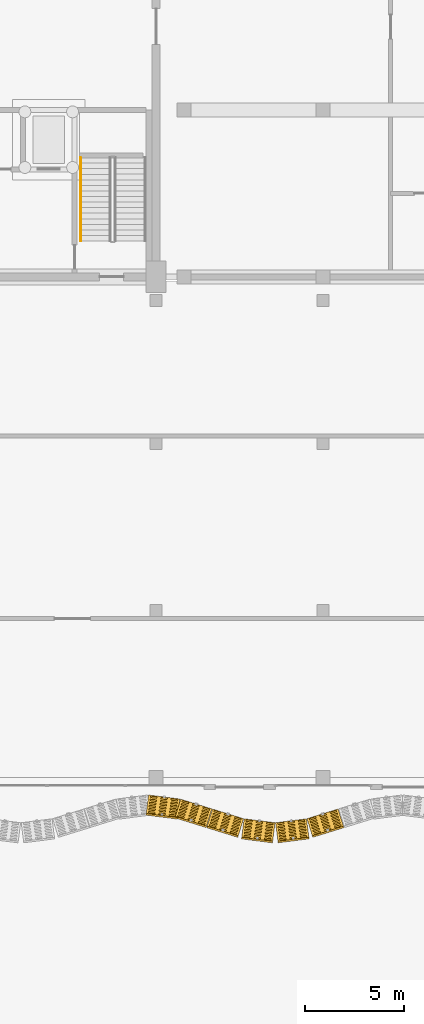
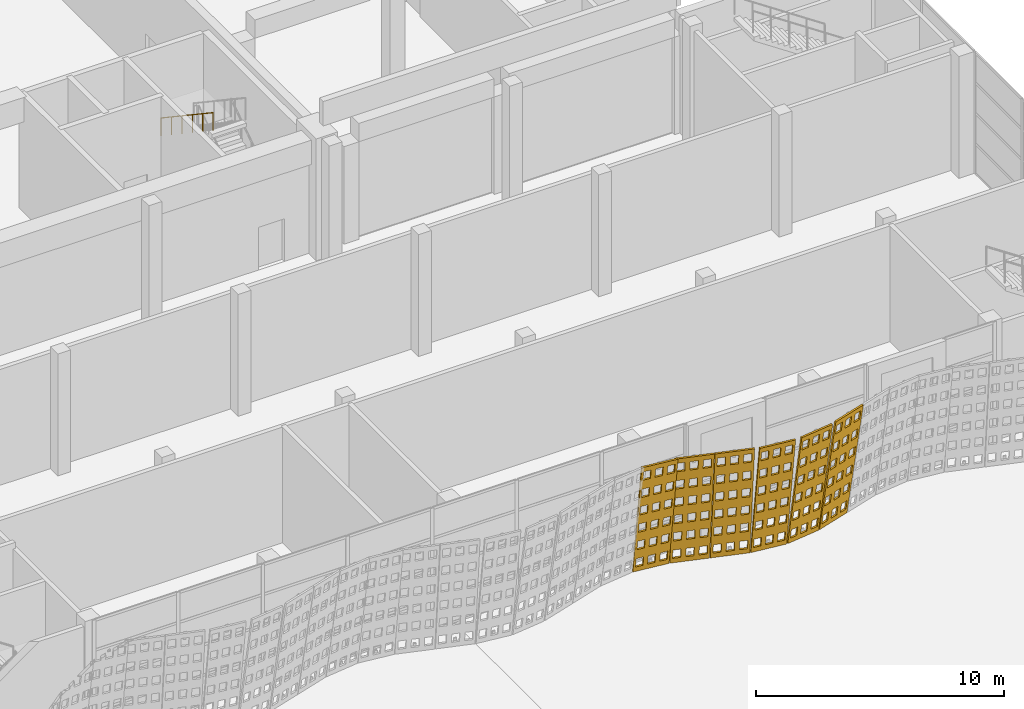
# One storey, part 196 of 210: 6 coverings, 1 railing.
"""IFC4 building model written with IfcOpenShell, lengths in metres."""

from ifc_helpers import new_model, si_unit, direction, frame, origin, origin_2d, place, context, subcontext, project, spatial, polyline, circle, outline, extrude, material, layer, layer_set, type_object, element, save


model = new_model("IFC4")

# Units and contexts
model_context = context("Model", 3, precision=1e-05, world=origin(), true_north=direction((0.0, 1.0)))
body_context = subcontext(model_context, "Body", "Model", "MODEL_VIEW")
ifc_project = project(units=[si_unit("LENGTHUNIT", "METRE"), si_unit("AREAUNIT", "SQUARE_METRE"), si_unit("VOLUMEUNIT", "CUBIC_METRE"), si_unit("PLANEANGLEUNIT", "RADIAN"), si_unit("MASSUNIT", "GRAM", prefix="KILO")], contexts=[model_context])

# Site, building, storey
site_placement = place(None, origin())
site = spatial("IfcSite", under=ifc_project, at=site_placement, CompositionType="ELEMENT")
building_placement = place(site_placement, origin())
building = spatial("IfcBuilding", under=site, at=building_placement, Name="Rain Tree Exposition and Congress Centre", CompositionType="ELEMENT")
storey_placement = place(building_placement, origin())
storey = spatial("IfcBuildingStorey", under=building, at=storey_placement, Name="L00", CompositionType="ELEMENT", Elevation=0.0)

# Railing
ifc_material_1 = material(Name="Steel S355J2H", Category="steel")
railing_type = type_object("IfcRailingType", Name="Stair handrail 900", PredefinedType="HANDRAIL", material=ifc_material_1)
railing_placement = place(storey_placement, frame((239.800048828125, 106.800048828125, 3.1875)))
element("IfcRailing", 1, at=railing_placement, inside=storey, type_object=railing_type, Name="L00 ST-H6 stair handrail 2", PredefinedType="HANDRAIL", context=body_context, shape_type="SweptSolid", body=[
    extrude(circle(Radius=0.02392578125, at=origin_2d()), frame((0.0, 0.0, 0.8759765625), z_axis=(0.0, -0.830904186295, 0.556415522067), x_axis=(1.0, 0.0, 0.0)), (0.0, 0.0, 1.0), 5.0546875),
    extrude(circle(Radius=0.02099609375, at=origin_2d()), origin(), (0.0, 0.0, 1.0), 0.851806640625),
    extrude(circle(Radius=0.02099609375, at=origin_2d()), frame((0.0, -0.840087890625, 0.5625)), (0.0, 0.0, 1.0), 0.851806640625),
    extrude(circle(Radius=0.02099609375, at=origin_2d()), frame((0.0, -1.679931640625, 1.125)), (0.0, 0.0, 1.0), 0.851806640625),
    extrude(circle(Radius=0.02099609375, at=origin_2d()), frame((0.0, -2.52001953125, 1.6875)), (0.0, 0.0, 1.0), 0.851806640625),
    extrude(circle(Radius=0.02099609375, at=origin_2d()), frame((0.0, -3.35986328125, 2.25)), (0.0, 0.0, 1.0), 0.851806640625),
    extrude(circle(Radius=0.02099609375, at=origin_2d()), frame((0.0, -4.199951171875, 2.8125)), (0.0, 0.0, 1.0), 0.851806640625),
])

# Coverings
ifc_material_2 = material(Name="Perforated terracotta", Category="masonry")
ifc_layer = layer(ifc_material_2, 0.080078125)
ifc_layer_set = layer_set([ifc_layer], Name="Perforated terracotta")
covering_type = type_object("IfcCoveringType", Name="Terracotta screen 80", PredefinedType="CLADDING", material=ifc_layer_set)
covering_1_placement = place(storey_placement, frame((243.199951171875, 74.64990234375, 0.0), z_axis=(0.125030801275, 0.978899688033, 0.161625182136), x_axis=(-0.991941518713, 0.126696580272, 0.0)))
element("IfcCovering", 2, at=covering_1_placement, inside=storey, type_object=covering_type, Name="concourse/screen/L00/153", PredefinedType="CLADDING", context=body_context, shape_type="SweptSolid", body=[
    extrude(outline(polyline([(-0.014892578125, 0.0), (-1.59814453125, 0.0), (-1.59814453125, 5.813720703125), (-0.014892578125, 5.813720703125), (-0.014892578125, 0.0)]), holes=[polyline([(-0.115234375, 0.25), (-0.115234375, 0.718994140625), (-0.4423828125, 0.718994140625), (-0.4423828125, 0.25), (-0.115234375, 0.25)]), polyline([(-0.115234375, 1.218994140625), (-0.115234375, 1.687744140625), (-0.4423828125, 1.687744140625), (-0.4423828125, 1.218994140625), (-0.115234375, 1.218994140625)]), polyline([(-0.115234375, 2.18798828125), (-0.115234375, 2.65673828125), (-0.4423828125, 2.65673828125), (-0.4423828125, 2.18798828125), (-0.115234375, 2.18798828125)]), polyline([(-0.115234375, 3.156982421875), (-0.115234375, 3.625732421875), (-0.4423828125, 3.625732421875), (-0.4423828125, 3.156982421875), (-0.115234375, 3.156982421875)]), polyline([(-0.115234375, 4.125732421875), (-0.115234375, 4.594482421875), (-0.4423828125, 4.594482421875), (-0.4423828125, 4.125732421875), (-0.115234375, 4.125732421875)]), polyline([(-0.115234375, 5.0947265625), (-0.115234375, 5.563720703125), (-0.4423828125, 5.563720703125), (-0.4423828125, 5.0947265625), (-0.115234375, 5.0947265625)]), polyline([(-0.64306640625, 0.25), (-0.64306640625, 0.718994140625), (-0.97021484375, 0.718994140625), (-0.97021484375, 0.25), (-0.64306640625, 0.25)]), polyline([(-0.64306640625, 1.218994140625), (-0.64306640625, 1.687744140625), (-0.97021484375, 1.687744140625), (-0.97021484375, 1.218994140625), (-0.64306640625, 1.218994140625)]), polyline([(-0.64306640625, 2.18798828125), (-0.64306640625, 2.65673828125), (-0.97021484375, 2.65673828125), (-0.97021484375, 2.18798828125), (-0.64306640625, 2.18798828125)]), polyline([(-0.64306640625, 3.156982421875), (-0.64306640625, 3.625732421875), (-0.97021484375, 3.625732421875), (-0.97021484375, 3.156982421875), (-0.64306640625, 3.156982421875)]), polyline([(-0.64306640625, 4.125732421875), (-0.64306640625, 4.594482421875), (-0.97021484375, 4.594482421875), (-0.97021484375, 4.125732421875), (-0.64306640625, 4.125732421875)]), polyline([(-0.64306640625, 5.0947265625), (-0.64306640625, 5.563720703125), (-0.97021484375, 5.563720703125), (-0.97021484375, 5.0947265625), (-0.64306640625, 5.0947265625)]), polyline([(-1.170654296875, 0.25), (-1.170654296875, 0.718994140625), (-1.497802734375, 0.718994140625), (-1.497802734375, 0.25), (-1.170654296875, 0.25)]), polyline([(-1.170654296875, 1.218994140625), (-1.170654296875, 1.687744140625), (-1.497802734375, 1.687744140625), (-1.497802734375, 1.218994140625), (-1.170654296875, 1.218994140625)]), polyline([(-1.170654296875, 2.18798828125), (-1.170654296875, 2.65673828125), (-1.497802734375, 2.65673828125), (-1.497802734375, 2.18798828125), (-1.170654296875, 2.18798828125)]), polyline([(-1.170654296875, 3.156982421875), (-1.170654296875, 3.625732421875), (-1.497802734375, 3.625732421875), (-1.497802734375, 3.156982421875), (-1.170654296875, 3.156982421875)]), polyline([(-1.170654296875, 4.125732421875), (-1.170654296875, 4.594482421875), (-1.497802734375, 4.594482421875), (-1.497802734375, 4.125732421875), (-1.170654296875, 4.125732421875)]), polyline([(-1.170654296875, 5.0947265625), (-1.170654296875, 5.563720703125), (-1.497802734375, 5.563720703125), (-1.497802734375, 5.0947265625), (-1.170654296875, 5.0947265625)])]), origin(), (0.0, 0.0, 1.0), 0.080078125),
])
covering_2_placement = place(storey_placement, frame((244.800048828125, 74.445068359375, 0.0), z_axis=(0.293072736571, 0.943327870838, 0.155694891303), x_axis=(-0.954973588716, 0.296690823679, 0.0)))
element("IfcCovering", 3, at=covering_2_placement, inside=storey, type_object=covering_type, Name="concourse/screen/L00/154", PredefinedType="CLADDING", context=body_context, shape_type="SweptSolid", body=[
    extrude(outline(polyline([(-0.014892578125, 0.0), (-1.659912109375, 0.0), (-1.659912109375, 5.80859375), (-0.014892578125, 5.80859375), (-0.014892578125, 0.0)]), holes=[polyline([(-0.119140625, 0.249755859375), (-0.119140625, 0.71826171875), (-0.458984375, 0.71826171875), (-0.458984375, 0.249755859375), (-0.119140625, 0.249755859375)]), polyline([(-0.119140625, 1.218017578125), (-0.119140625, 1.686279296875), (-0.458984375, 1.686279296875), (-0.458984375, 1.218017578125), (-0.119140625, 1.218017578125)]), polyline([(-0.119140625, 2.18603515625), (-0.119140625, 2.654541015625), (-0.458984375, 2.654541015625), (-0.458984375, 2.18603515625), (-0.119140625, 2.18603515625)]), polyline([(-0.119140625, 3.154052734375), (-0.119140625, 3.62255859375), (-0.458984375, 3.62255859375), (-0.458984375, 3.154052734375), (-0.119140625, 3.154052734375)]), polyline([(-0.119140625, 4.122314453125), (-0.119140625, 4.5908203125), (-0.458984375, 4.5908203125), (-0.458984375, 4.122314453125), (-0.119140625, 4.122314453125)]), polyline([(-0.119140625, 5.09033203125), (-0.119140625, 5.558837890625), (-0.458984375, 5.558837890625), (-0.458984375, 5.09033203125), (-0.119140625, 5.09033203125)]), polyline([(-0.66748046875, 0.249755859375), (-0.66748046875, 0.71826171875), (-1.00732421875, 0.71826171875), (-1.00732421875, 0.249755859375), (-0.66748046875, 0.249755859375)]), polyline([(-0.66748046875, 1.218017578125), (-0.66748046875, 1.686279296875), (-1.00732421875, 1.686279296875), (-1.00732421875, 1.218017578125), (-0.66748046875, 1.218017578125)]), polyline([(-0.66748046875, 2.18603515625), (-0.66748046875, 2.654541015625), (-1.00732421875, 2.654541015625), (-1.00732421875, 2.18603515625), (-0.66748046875, 2.18603515625)]), polyline([(-0.66748046875, 3.154052734375), (-0.66748046875, 3.62255859375), (-1.00732421875, 3.62255859375), (-1.00732421875, 3.154052734375), (-0.66748046875, 3.154052734375)]), polyline([(-0.66748046875, 4.122314453125), (-0.66748046875, 4.5908203125), (-1.00732421875, 4.5908203125), (-1.00732421875, 4.122314453125), (-0.66748046875, 4.122314453125)]), polyline([(-0.66748046875, 5.09033203125), (-0.66748046875, 5.558837890625), (-1.00732421875, 5.558837890625), (-1.00732421875, 5.09033203125), (-0.66748046875, 5.09033203125)]), polyline([(-1.2158203125, 0.249755859375), (-1.2158203125, 0.71826171875), (-1.5556640625, 0.71826171875), (-1.5556640625, 0.249755859375), (-1.2158203125, 0.249755859375)]), polyline([(-1.2158203125, 1.218017578125), (-1.2158203125, 1.686279296875), (-1.5556640625, 1.686279296875), (-1.5556640625, 1.218017578125), (-1.2158203125, 1.218017578125)]), polyline([(-1.2158203125, 2.18603515625), (-1.2158203125, 2.654541015625), (-1.5556640625, 2.654541015625), (-1.5556640625, 2.18603515625), (-1.2158203125, 2.18603515625)]), polyline([(-1.2158203125, 3.154052734375), (-1.2158203125, 3.62255859375), (-1.5556640625, 3.62255859375), (-1.5556640625, 3.154052734375), (-1.2158203125, 3.154052734375)]), polyline([(-1.2158203125, 4.122314453125), (-1.2158203125, 4.5908203125), (-1.5556640625, 4.5908203125), (-1.5556640625, 4.122314453125), (-1.2158203125, 4.122314453125)]), polyline([(-1.2158203125, 5.09033203125), (-1.2158203125, 5.558837890625), (-1.5556640625, 5.558837890625), (-1.5556640625, 5.09033203125), (-1.2158203125, 5.09033203125)])]), origin(), (0.0, 0.0, 1.0), 0.080078125),
])
covering_3_placement = place(storey_placement, frame((246.39990234375, 73.949951171875, 0.0), z_axis=(0.293072736571, 0.943327870838, 0.155694891303), x_axis=(-0.954973588716, 0.296690823679, 0.0)))
element("IfcCovering", 4, at=covering_3_placement, inside=storey, type_object=covering_type, Name="concourse/screen/L00/155", PredefinedType="CLADDING", context=body_context, shape_type="SweptSolid", body=[
    extrude(outline(polyline([(-0.014892578125, 0.0), (-1.65283203125, 0.0), (-1.65283203125, 5.80859375), (-0.014892578125, 5.80859375), (-0.014892578125, 0.0)]), holes=[polyline([(-0.11865234375, 0.249755859375), (-0.11865234375, 0.71826171875), (-0.457275390625, 0.71826171875), (-0.457275390625, 0.249755859375), (-0.11865234375, 0.249755859375)]), polyline([(-0.11865234375, 1.218017578125), (-0.11865234375, 1.686279296875), (-0.457275390625, 1.686279296875), (-0.457275390625, 1.218017578125), (-0.11865234375, 1.218017578125)]), polyline([(-0.11865234375, 2.18603515625), (-0.11865234375, 2.654541015625), (-0.457275390625, 2.654541015625), (-0.457275390625, 2.18603515625), (-0.11865234375, 2.18603515625)]), polyline([(-0.11865234375, 3.154052734375), (-0.11865234375, 3.62255859375), (-0.457275390625, 3.62255859375), (-0.457275390625, 3.154052734375), (-0.11865234375, 3.154052734375)]), polyline([(-0.11865234375, 4.122314453125), (-0.11865234375, 4.5908203125), (-0.457275390625, 4.5908203125), (-0.457275390625, 4.122314453125), (-0.11865234375, 4.122314453125)]), polyline([(-0.11865234375, 5.09033203125), (-0.11865234375, 5.558837890625), (-0.457275390625, 5.558837890625), (-0.457275390625, 5.09033203125), (-0.11865234375, 5.09033203125)]), polyline([(-0.664794921875, 0.249755859375), (-0.664794921875, 0.71826171875), (-1.003173828125, 0.71826171875), (-1.003173828125, 0.249755859375), (-0.664794921875, 0.249755859375)]), polyline([(-0.664794921875, 1.218017578125), (-0.664794921875, 1.686279296875), (-1.003173828125, 1.686279296875), (-1.003173828125, 1.218017578125), (-0.664794921875, 1.218017578125)]), polyline([(-0.664794921875, 2.18603515625), (-0.664794921875, 2.654541015625), (-1.003173828125, 2.654541015625), (-1.003173828125, 2.18603515625), (-0.664794921875, 2.18603515625)]), polyline([(-0.664794921875, 3.154052734375), (-0.664794921875, 3.62255859375), (-1.003173828125, 3.62255859375), (-1.003173828125, 3.154052734375), (-0.664794921875, 3.154052734375)]), polyline([(-0.664794921875, 4.122314453125), (-0.664794921875, 4.5908203125), (-1.003173828125, 4.5908203125), (-1.003173828125, 4.122314453125), (-0.664794921875, 4.122314453125)]), polyline([(-0.664794921875, 5.09033203125), (-0.664794921875, 5.558837890625), (-1.003173828125, 5.558837890625), (-1.003173828125, 5.09033203125), (-0.664794921875, 5.09033203125)]), polyline([(-1.210693359375, 0.249755859375), (-1.210693359375, 0.71826171875), (-1.54931640625, 0.71826171875), (-1.54931640625, 0.249755859375), (-1.210693359375, 0.249755859375)]), polyline([(-1.210693359375, 1.218017578125), (-1.210693359375, 1.686279296875), (-1.54931640625, 1.686279296875), (-1.54931640625, 1.218017578125), (-1.210693359375, 1.218017578125)]), polyline([(-1.210693359375, 2.18603515625), (-1.210693359375, 2.654541015625), (-1.54931640625, 2.654541015625), (-1.54931640625, 2.18603515625), (-1.210693359375, 2.18603515625)]), polyline([(-1.210693359375, 3.154052734375), (-1.210693359375, 3.62255859375), (-1.54931640625, 3.62255859375), (-1.54931640625, 3.154052734375), (-1.210693359375, 3.154052734375)]), polyline([(-1.210693359375, 4.122314453125), (-1.210693359375, 4.5908203125), (-1.54931640625, 4.5908203125), (-1.54931640625, 4.122314453125), (-1.210693359375, 4.122314453125)]), polyline([(-1.210693359375, 5.09033203125), (-1.210693359375, 5.558837890625), (-1.54931640625, 5.558837890625), (-1.54931640625, 5.09033203125), (-1.210693359375, 5.09033203125)])]), origin(), (0.0, 0.0, 1.0), 0.080078125),
])
covering_4_placement = place(storey_placement, frame((248.0, 73.455078125, 0.0), z_axis=(0.125405134464, 0.978771781185, 0.162109076259), x_axis=(-0.991891686382, 0.127086122318, 0.0)))
element("IfcCovering", 5, at=covering_4_placement, inside=storey, type_object=covering_type, Name="concourse/screen/L00/156", PredefinedType="CLADDING", context=body_context, shape_type="SweptSolid", body=[
    extrude(outline(polyline([(-0.02197265625, 0.0), (-1.587890625, 0.0), (-1.587890625, 5.813720703125), (-0.02197265625, 5.813720703125), (-0.02197265625, 0.0)]), holes=[polyline([(-0.12109375, 0.25), (-0.12109375, 0.718994140625), (-0.444580078125, 0.718994140625), (-0.444580078125, 0.25), (-0.12109375, 0.25)]), polyline([(-0.12109375, 1.218994140625), (-0.12109375, 1.687744140625), (-0.444580078125, 1.687744140625), (-0.444580078125, 1.218994140625), (-0.12109375, 1.218994140625)]), polyline([(-0.12109375, 2.18798828125), (-0.12109375, 2.65673828125), (-0.444580078125, 2.65673828125), (-0.444580078125, 2.18798828125), (-0.12109375, 2.18798828125)]), polyline([(-0.12109375, 3.156982421875), (-0.12109375, 3.625732421875), (-0.444580078125, 3.625732421875), (-0.444580078125, 3.156982421875), (-0.12109375, 3.156982421875)]), polyline([(-0.12109375, 4.125732421875), (-0.12109375, 4.594482421875), (-0.444580078125, 4.594482421875), (-0.444580078125, 4.125732421875), (-0.12109375, 4.125732421875)]), polyline([(-0.12109375, 5.0947265625), (-0.12109375, 5.563720703125), (-0.444580078125, 5.563720703125), (-0.444580078125, 5.0947265625), (-0.12109375, 5.0947265625)]), polyline([(-0.64306640625, 0.25), (-0.64306640625, 0.718994140625), (-0.966796875, 0.718994140625), (-0.966796875, 0.25), (-0.64306640625, 0.25)]), polyline([(-0.64306640625, 1.218994140625), (-0.64306640625, 1.687744140625), (-0.966796875, 1.687744140625), (-0.966796875, 1.218994140625), (-0.64306640625, 1.218994140625)]), polyline([(-0.64306640625, 2.18798828125), (-0.64306640625, 2.65673828125), (-0.966796875, 2.65673828125), (-0.966796875, 2.18798828125), (-0.64306640625, 2.18798828125)]), polyline([(-0.64306640625, 3.156982421875), (-0.64306640625, 3.625732421875), (-0.966796875, 3.625732421875), (-0.966796875, 3.156982421875), (-0.64306640625, 3.156982421875)]), polyline([(-0.64306640625, 4.125732421875), (-0.64306640625, 4.594482421875), (-0.966796875, 4.594482421875), (-0.966796875, 4.125732421875), (-0.64306640625, 4.125732421875)]), polyline([(-0.64306640625, 5.0947265625), (-0.64306640625, 5.563720703125), (-0.966796875, 5.563720703125), (-0.966796875, 5.0947265625), (-0.64306640625, 5.0947265625)]), polyline([(-1.1650390625, 0.25), (-1.1650390625, 0.718994140625), (-1.48876953125, 0.718994140625), (-1.48876953125, 0.25), (-1.1650390625, 0.25)]), polyline([(-1.1650390625, 1.218994140625), (-1.1650390625, 1.687744140625), (-1.48876953125, 1.687744140625), (-1.48876953125, 1.218994140625), (-1.1650390625, 1.218994140625)]), polyline([(-1.1650390625, 2.18798828125), (-1.1650390625, 2.65673828125), (-1.48876953125, 2.65673828125), (-1.48876953125, 2.18798828125), (-1.1650390625, 2.18798828125)]), polyline([(-1.1650390625, 3.156982421875), (-1.1650390625, 3.625732421875), (-1.48876953125, 3.625732421875), (-1.48876953125, 3.156982421875), (-1.1650390625, 3.156982421875)]), polyline([(-1.1650390625, 4.125732421875), (-1.1650390625, 4.594482421875), (-1.48876953125, 4.594482421875), (-1.48876953125, 4.125732421875), (-1.1650390625, 4.125732421875)]), polyline([(-1.1650390625, 5.0947265625), (-1.1650390625, 5.563720703125), (-1.48876953125, 5.563720703125), (-1.48876953125, 5.0947265625), (-1.1650390625, 5.0947265625)])]), origin(), (0.0, 0.0, 1.0), 0.079833984375),
])
covering_5_placement = place(storey_placement, frame((249.60009765625, 73.25, 0.0), z_axis=(-0.125030801275, 0.978899688033, 0.161625182136), x_axis=(-0.991941518713, -0.126696580272, 0.0)))
element("IfcCovering", 6, at=covering_5_placement, inside=storey, type_object=covering_type, Name="concourse/screen/L00/157", PredefinedType="CLADDING", context=body_context, shape_type="SweptSolid", body=[
    extrude(outline(polyline([(-0.025146484375, 0.0), (-1.59130859375, 0.0), (-1.59130859375, 5.813720703125), (-0.025146484375, 5.813720703125), (-0.025146484375, 0.0)]), holes=[polyline([(-0.12451171875, 0.25), (-0.12451171875, 0.718994140625), (-0.447998046875, 0.718994140625), (-0.447998046875, 0.25), (-0.12451171875, 0.25)]), polyline([(-0.12451171875, 1.218994140625), (-0.12451171875, 1.687744140625), (-0.447998046875, 1.687744140625), (-0.447998046875, 1.218994140625), (-0.12451171875, 1.218994140625)]), polyline([(-0.12451171875, 2.18798828125), (-0.12451171875, 2.65673828125), (-0.447998046875, 2.65673828125), (-0.447998046875, 2.18798828125), (-0.12451171875, 2.18798828125)]), polyline([(-0.12451171875, 3.156982421875), (-0.12451171875, 3.625732421875), (-0.447998046875, 3.625732421875), (-0.447998046875, 3.156982421875), (-0.12451171875, 3.156982421875)]), polyline([(-0.12451171875, 4.125732421875), (-0.12451171875, 4.594482421875), (-0.447998046875, 4.594482421875), (-0.447998046875, 4.125732421875), (-0.12451171875, 4.125732421875)]), polyline([(-0.12451171875, 5.0947265625), (-0.12451171875, 5.563720703125), (-0.447998046875, 5.563720703125), (-0.447998046875, 5.0947265625), (-0.12451171875, 5.0947265625)]), polyline([(-0.646484375, 0.25), (-0.646484375, 0.718994140625), (-0.969970703125, 0.718994140625), (-0.969970703125, 0.25), (-0.646484375, 0.25)]), polyline([(-0.646484375, 1.218994140625), (-0.646484375, 1.687744140625), (-0.969970703125, 1.687744140625), (-0.969970703125, 1.218994140625), (-0.646484375, 1.218994140625)]), polyline([(-0.646484375, 2.18798828125), (-0.646484375, 2.65673828125), (-0.969970703125, 2.65673828125), (-0.969970703125, 2.18798828125), (-0.646484375, 2.18798828125)]), polyline([(-0.646484375, 3.156982421875), (-0.646484375, 3.625732421875), (-0.969970703125, 3.625732421875), (-0.969970703125, 3.156982421875), (-0.646484375, 3.156982421875)]), polyline([(-0.646484375, 4.125732421875), (-0.646484375, 4.594482421875), (-0.969970703125, 4.594482421875), (-0.969970703125, 4.125732421875), (-0.646484375, 4.125732421875)]), polyline([(-0.646484375, 5.0947265625), (-0.646484375, 5.563720703125), (-0.969970703125, 5.563720703125), (-0.969970703125, 5.0947265625), (-0.646484375, 5.0947265625)]), polyline([(-1.16845703125, 0.25), (-1.16845703125, 0.718994140625), (-1.491943359375, 0.718994140625), (-1.491943359375, 0.25), (-1.16845703125, 0.25)]), polyline([(-1.16845703125, 1.218994140625), (-1.16845703125, 1.687744140625), (-1.491943359375, 1.687744140625), (-1.491943359375, 1.218994140625), (-1.16845703125, 1.218994140625)]), polyline([(-1.16845703125, 2.18798828125), (-1.16845703125, 2.65673828125), (-1.491943359375, 2.65673828125), (-1.491943359375, 2.18798828125), (-1.16845703125, 2.18798828125)]), polyline([(-1.16845703125, 3.156982421875), (-1.16845703125, 3.625732421875), (-1.491943359375, 3.625732421875), (-1.491943359375, 3.156982421875), (-1.16845703125, 3.156982421875)]), polyline([(-1.16845703125, 4.125732421875), (-1.16845703125, 4.594482421875), (-1.491943359375, 4.594482421875), (-1.491943359375, 4.125732421875), (-1.16845703125, 4.125732421875)]), polyline([(-1.16845703125, 5.0947265625), (-1.16845703125, 5.563720703125), (-1.491943359375, 5.563720703125), (-1.491943359375, 5.0947265625), (-1.16845703125, 5.0947265625)])]), origin(), (0.0, 0.0, 1.0), 0.080078125),
])
covering_6_placement = place(storey_placement, frame((251.199951171875, 73.455078125, 0.0), z_axis=(-0.293072736571, 0.943327870838, 0.155694891303), x_axis=(-0.954973588716, -0.296690823679, 0.0)))
element("IfcCovering", 7, at=covering_6_placement, inside=storey, type_object=covering_type, Name="concourse/screen/L00/158", PredefinedType="CLADDING", context=body_context, shape_type="SweptSolid", body=[
    extrude(outline(polyline([(-0.02197265625, 0.0), (-1.659912109375, 0.0), (-1.659912109375, 5.80859375), (-0.02197265625, 5.80859375), (-0.02197265625, 0.0)]), holes=[polyline([(-0.125732421875, 0.249755859375), (-0.125732421875, 0.71826171875), (-0.464111328125, 0.71826171875), (-0.464111328125, 0.249755859375), (-0.125732421875, 0.249755859375)]), polyline([(-0.125732421875, 1.218017578125), (-0.125732421875, 1.686279296875), (-0.464111328125, 1.686279296875), (-0.464111328125, 1.218017578125), (-0.125732421875, 1.218017578125)]), polyline([(-0.125732421875, 2.18603515625), (-0.125732421875, 2.654541015625), (-0.464111328125, 2.654541015625), (-0.464111328125, 2.18603515625), (-0.125732421875, 2.18603515625)]), polyline([(-0.125732421875, 3.154052734375), (-0.125732421875, 3.62255859375), (-0.464111328125, 3.62255859375), (-0.464111328125, 3.154052734375), (-0.125732421875, 3.154052734375)]), polyline([(-0.125732421875, 4.122314453125), (-0.125732421875, 4.5908203125), (-0.464111328125, 4.5908203125), (-0.464111328125, 4.122314453125), (-0.125732421875, 4.122314453125)]), polyline([(-0.125732421875, 5.09033203125), (-0.125732421875, 5.558837890625), (-0.464111328125, 5.558837890625), (-0.464111328125, 5.09033203125), (-0.125732421875, 5.09033203125)]), polyline([(-0.671630859375, 0.249755859375), (-0.671630859375, 0.71826171875), (-1.010009765625, 0.71826171875), (-1.010009765625, 0.249755859375), (-0.671630859375, 0.249755859375)]), polyline([(-0.671630859375, 1.218017578125), (-0.671630859375, 1.686279296875), (-1.010009765625, 1.686279296875), (-1.010009765625, 1.218017578125), (-0.671630859375, 1.218017578125)]), polyline([(-0.671630859375, 2.18603515625), (-0.671630859375, 2.654541015625), (-1.010009765625, 2.654541015625), (-1.010009765625, 2.18603515625), (-0.671630859375, 2.18603515625)]), polyline([(-0.671630859375, 3.154052734375), (-0.671630859375, 3.62255859375), (-1.010009765625, 3.62255859375), (-1.010009765625, 3.154052734375), (-0.671630859375, 3.154052734375)]), polyline([(-0.671630859375, 4.122314453125), (-0.671630859375, 4.5908203125), (-1.010009765625, 4.5908203125), (-1.010009765625, 4.122314453125), (-0.671630859375, 4.122314453125)]), polyline([(-0.671630859375, 5.09033203125), (-0.671630859375, 5.558837890625), (-1.010009765625, 5.558837890625), (-1.010009765625, 5.09033203125), (-0.671630859375, 5.09033203125)]), polyline([(-1.217529296875, 0.249755859375), (-1.217529296875, 0.71826171875), (-1.55615234375, 0.71826171875), (-1.55615234375, 0.249755859375), (-1.217529296875, 0.249755859375)]), polyline([(-1.217529296875, 1.218017578125), (-1.217529296875, 1.686279296875), (-1.55615234375, 1.686279296875), (-1.55615234375, 1.218017578125), (-1.217529296875, 1.218017578125)]), polyline([(-1.217529296875, 2.18603515625), (-1.217529296875, 2.654541015625), (-1.55615234375, 2.654541015625), (-1.55615234375, 2.18603515625), (-1.217529296875, 2.18603515625)]), polyline([(-1.217529296875, 3.154052734375), (-1.217529296875, 3.62255859375), (-1.55615234375, 3.62255859375), (-1.55615234375, 3.154052734375), (-1.217529296875, 3.154052734375)]), polyline([(-1.217529296875, 4.122314453125), (-1.217529296875, 4.5908203125), (-1.55615234375, 4.5908203125), (-1.55615234375, 4.122314453125), (-1.217529296875, 4.122314453125)]), polyline([(-1.217529296875, 5.09033203125), (-1.217529296875, 5.558837890625), (-1.55615234375, 5.558837890625), (-1.55615234375, 5.09033203125), (-1.217529296875, 5.09033203125)])]), origin(), (0.0, 0.0, 1.0), 0.080078125),
])

save(model, "model.ifc")
